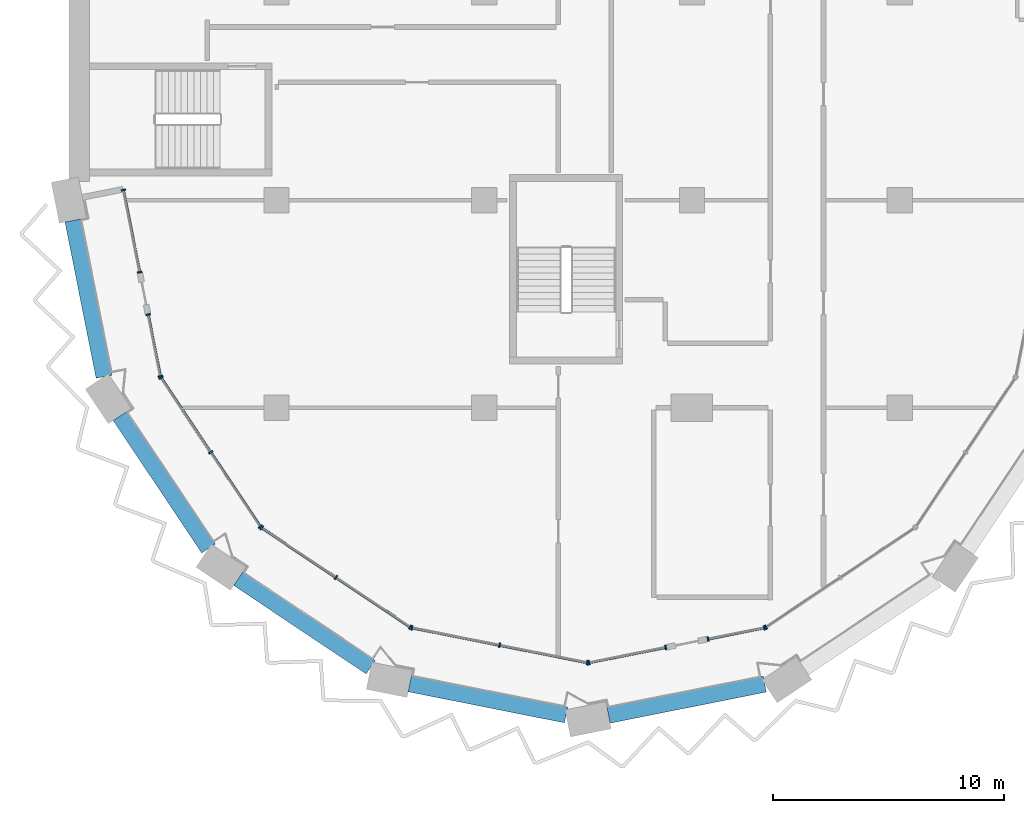
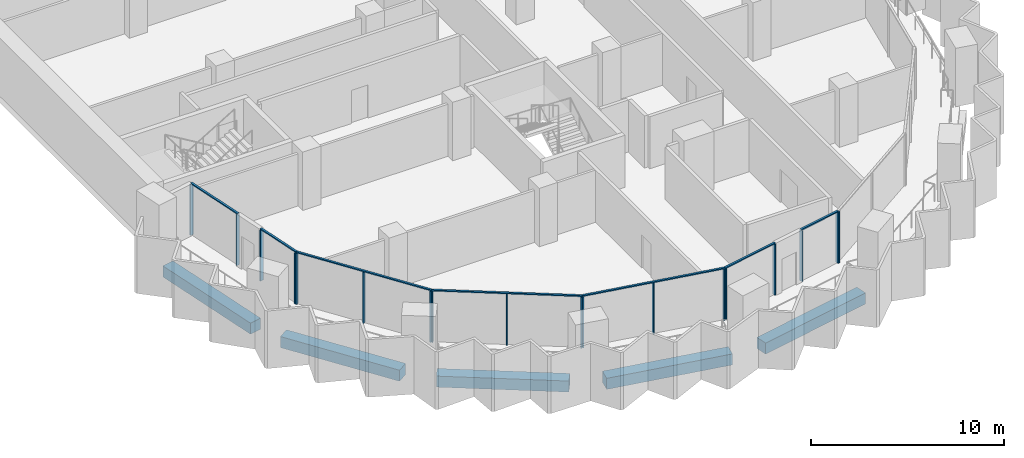
# One storey, part 2 of 17: 25 members, 5 beams, 8 elements without a shape of their own.
"""IFC4 building model written with IfcOpenShell, lengths in metres."""

from ifc_helpers import new_model, si_unit, direction, frame, origin, origin_2d, place, context, subcontext, project, spatial, rectangle, extrude, material, material_profile, profile_set, type_object, element, aggregate, save


model = new_model("IFC4")

# Units and contexts
model_context = context("Model", 3, precision=1e-05, world=origin(), true_north=direction((0.0, 1.0)))
body_context = subcontext(model_context, "Body", "Model", "MODEL_VIEW")
ifc_project = project(units=[si_unit("LENGTHUNIT", "METRE"), si_unit("AREAUNIT", "SQUARE_METRE"), si_unit("VOLUMEUNIT", "CUBIC_METRE"), si_unit("PLANEANGLEUNIT", "RADIAN"), si_unit("MASSUNIT", "GRAM", prefix="KILO")], contexts=[model_context])

# Site, building, storey
site_placement = place(None, origin())
site = spatial("IfcSite", under=ifc_project, at=site_placement, CompositionType="ELEMENT")
building_placement = place(site_placement, origin())
building = spatial("IfcBuilding", under=site, at=building_placement, Name="Hunhe Ridgeline Campus", CompositionType="ELEMENT")
storey_placement = place(building_placement, frame((0.0, 0.0, 212.39990234375)))
storey = spatial("IfcBuildingStorey", under=building, at=storey_placement, Name="L54", CompositionType="ELEMENT", Elevation=212.39990234375)

# Curtain wall, members
ifc_material_1 = material(Name="Aluminium 6063", Category="aluminium")
curtain_wall_type = type_object("IfcCurtainWallType", Name="Curtain wall CW-5", PredefinedType="NOTDEFINED", material=ifc_material_1)
curtain_wall_1_placement = place(storey_placement, origin())
curtain_wall_1 = element("IfcCurtainWall", 1, at=curtain_wall_1_placement, inside=storey, type_object=curtain_wall_type, Name="Curtain wall 01", PredefinedType="NOTDEFINED")
ifc_material_profile_1 = material_profile(ifc_material_1, rectangle(XDim=0.199951171875, YDim=0.070068359375, at=origin_2d()))
ifc_profile_set_1 = profile_set([ifc_material_profile_1], Name="Aluminium 6063")
member_type_1 = type_object("IfcMemberType", Name="CW-5 aluminium mullion", PredefinedType="MULLION", material=ifc_profile_set_1)
member_1_placement = place(storey_placement, frame((2.361572265625, 36.434326171875, 0.0), z_axis=(0.0, 0.0, 1.0), x_axis=(0.980784284924, 0.195095326561, 0.0)))
member_1 = element("IfcMember", 2, at=member_1_placement, type_object=member_type_1, Name="CW-5 mullion 1", PredefinedType="MULLION", context=body_context, shape_type="SweptSolid", body=[
    extrude(rectangle(XDim=0.199951171875, YDim=0.070068359375, at=origin_2d()), origin(), (0.0, 0.0, 1.0), 3.22998046875),
])
member_2_placement = place(storey_placement, frame((3.070068359375, 32.873291015625, 0.0), z_axis=(0.0, 0.0, 1.0), x_axis=(0.980784284924, 0.195095326561, 0.0)))
member_2 = element("IfcMember", 3, at=member_2_placement, type_object=member_type_1, Name="CW-5 mullion 2", PredefinedType="MULLION", context=body_context, shape_type="SweptSolid", body=[
    extrude(rectangle(XDim=0.199951171875, YDim=0.070068359375, at=origin_2d()), origin(), (0.0, 0.0, 1.0), 3.22998046875),
])

curtain_wall_2_placement = place(storey_placement, origin())
curtain_wall_2 = element("IfcCurtainWall", 4, at=curtain_wall_2_placement, inside=storey, type_object=curtain_wall_type, Name="Curtain wall 02", PredefinedType="NOTDEFINED")
member_3_placement = place(storey_placement, frame((3.434814453125, 31.0390625, 0.0), z_axis=(0.0, 0.0, 1.0), x_axis=(0.980784297053, 0.195095265587, 0.0)))
member_3 = element("IfcMember", 5, at=member_3_placement, type_object=member_type_1, Name="CW-5 mullion 1", PredefinedType="MULLION", context=body_context, shape_type="SweptSolid", body=[
    extrude(rectangle(XDim=0.199951171875, YDim=0.070068359375, at=origin_2d()), origin(), (0.0, 0.0, 1.0), 3.22998046875),
])
member_4_placement = place(storey_placement, frame((3.967529296875, 28.36083984375, 0.0), z_axis=(0.0, 0.0, 1.0), x_axis=(0.980784297053, 0.195095265587, 0.0)))
member_4 = element("IfcMember", 6, at=member_4_placement, type_object=member_type_1, Name="CW-5 mullion 2", PredefinedType="MULLION", context=body_context, shape_type="SweptSolid", body=[
    extrude(rectangle(XDim=0.199951171875, YDim=0.070068359375, at=origin_2d()), origin(), (0.0, 0.0, 1.0), 3.22998046875),
])

curtain_wall_3_placement = place(storey_placement, origin())
curtain_wall_3 = element("IfcCurtainWall", 7, at=curtain_wall_3_placement, inside=storey, type_object=curtain_wall_type, Name="Curtain wall 03", PredefinedType="NOTDEFINED")
member_5_placement = place(storey_placement, frame((3.993896484375, 28.29736328125, 0.0), z_axis=(0.0, 0.0, 1.0), x_axis=(0.831469584522, 0.555570274596, 0.0)))
member_5 = element("IfcMember", 8, at=member_5_placement, type_object=member_type_1, Name="CW-5 mullion 1", PredefinedType="MULLION", context=body_context, shape_type="SweptSolid", body=[
    extrude(rectangle(XDim=0.199951171875, YDim=0.070068359375, at=origin_2d()), origin(), (0.0, 0.0, 1.0), 3.22998046875),
])
member_6_placement = place(storey_placement, frame((6.147705078125, 25.07373046875, 0.0), z_axis=(0.0, 0.0, 1.0), x_axis=(0.831469584522, 0.555570274596, 0.0)))
member_6 = element("IfcMember", 9, at=member_6_placement, type_object=member_type_1, Name="CW-5 mullion 2", PredefinedType="MULLION", context=body_context, shape_type="SweptSolid", body=[
    extrude(rectangle(XDim=0.199951171875, YDim=0.070068359375, at=origin_2d()), origin(), (0.0, 0.0, 1.0), 3.22998046875),
])
member_7_placement = place(storey_placement, frame((8.3017578125, 21.850341796875, 0.0), z_axis=(0.0, 0.0, 1.0), x_axis=(0.831469584522, 0.555570274596, 0.0)))
member_7 = element("IfcMember", 10, at=member_7_placement, type_object=member_type_1, Name="CW-5 mullion 3", PredefinedType="MULLION", context=body_context, shape_type="SweptSolid", body=[
    extrude(rectangle(XDim=0.199951171875, YDim=0.070068359375, at=origin_2d()), origin(), (0.0, 0.0, 1.0), 3.22998046875),
])

curtain_wall_4_placement = place(storey_placement, origin())
curtain_wall_4 = element("IfcCurtainWall", 11, at=curtain_wall_4_placement, inside=storey, type_object=curtain_wall_type, Name="Curtain wall 04", PredefinedType="NOTDEFINED")
member_8_placement = place(storey_placement, frame((8.350341796875, 21.8017578125, 0.0), z_axis=(0.0, 0.0, 1.0), x_axis=(0.555570274596, 0.831469584522, 0.0)))
member_8 = element("IfcMember", 12, at=member_8_placement, type_object=member_type_1, Name="CW-5 mullion 1", PredefinedType="MULLION", context=body_context, shape_type="SweptSolid", body=[
    extrude(rectangle(XDim=0.199951171875, YDim=0.070068359375, at=origin_2d()), origin(), (0.0, 0.0, 1.0), 3.22998046875),
])
member_9_placement = place(storey_placement, frame((11.57373046875, 19.647705078125, 0.0), z_axis=(0.0, 0.0, 1.0), x_axis=(0.555570274596, 0.831469584522, 0.0)))
member_9 = element("IfcMember", 13, at=member_9_placement, type_object=member_type_1, Name="CW-5 mullion 2", PredefinedType="MULLION", context=body_context, shape_type="SweptSolid", body=[
    extrude(rectangle(XDim=0.199951171875, YDim=0.070068359375, at=origin_2d()), origin(), (0.0, 0.0, 1.0), 3.22998046875),
])
member_10_placement = place(storey_placement, frame((14.79736328125, 17.493896484375, 0.0), z_axis=(0.0, 0.0, 1.0), x_axis=(0.555570274596, 0.831469584522, 0.0)))
member_10 = element("IfcMember", 14, at=member_10_placement, type_object=member_type_1, Name="CW-5 mullion 3", PredefinedType="MULLION", context=body_context, shape_type="SweptSolid", body=[
    extrude(rectangle(XDim=0.199951171875, YDim=0.070068359375, at=origin_2d()), origin(), (0.0, 0.0, 1.0), 3.22998046875),
])

curtain_wall_5_placement = place(storey_placement, origin())
curtain_wall_5 = element("IfcCurtainWall", 15, at=curtain_wall_5_placement, inside=storey, type_object=curtain_wall_type, Name="Curtain wall 05", PredefinedType="NOTDEFINED")
member_11_placement = place(storey_placement, frame((14.86083984375, 17.467529296875, 0.0), z_axis=(0.0, 0.0, 1.0), x_axis=(0.195090347539, 0.980785275326, 0.0)))
member_11 = element("IfcMember", 16, at=member_11_placement, type_object=member_type_1, Name="CW-5 mullion 1", PredefinedType="MULLION", context=body_context, shape_type="SweptSolid", body=[
    extrude(rectangle(XDim=0.199951171875, YDim=0.070068359375, at=origin_2d()), origin(), (0.0, 0.0, 1.0), 3.22998046875),
])
member_12_placement = place(storey_placement, frame((18.663330078125, 16.711181640625, 0.0), z_axis=(0.0, 0.0, 1.0), x_axis=(0.195090347539, 0.980785275326, 0.0)))
member_12 = element("IfcMember", 17, at=member_12_placement, type_object=member_type_1, Name="CW-5 mullion 2", PredefinedType="MULLION", context=body_context, shape_type="SweptSolid", body=[
    extrude(rectangle(XDim=0.199951171875, YDim=0.070068359375, at=origin_2d()), origin(), (0.0, 0.0, 1.0), 3.22998046875),
])
member_13_placement = place(storey_placement, frame((22.465576171875, 15.954833984375, 0.0), z_axis=(0.0, 0.0, 1.0), x_axis=(0.195090347539, 0.980785275326, 0.0)))
member_13 = element("IfcMember", 18, at=member_13_placement, type_object=member_type_1, Name="CW-5 mullion 3", PredefinedType="MULLION", context=body_context, shape_type="SweptSolid", body=[
    extrude(rectangle(XDim=0.199951171875, YDim=0.070068359375, at=origin_2d()), origin(), (0.0, 0.0, 1.0), 3.22998046875),
])

curtain_wall_6_placement = place(storey_placement, origin())
curtain_wall_6 = element("IfcCurtainWall", 19, at=curtain_wall_6_placement, inside=storey, type_object=curtain_wall_type, Name="Curtain wall 06", PredefinedType="NOTDEFINED")
member_14_placement = place(storey_placement, frame((22.534423828125, 15.954833984375, 0.0), z_axis=(0.0, 0.0, 1.0), x_axis=(-0.19509037034, 0.980785270791, 0.0)))
member_14 = element("IfcMember", 20, at=member_14_placement, type_object=member_type_1, Name="CW-5 mullion 1", PredefinedType="MULLION", context=body_context, shape_type="SweptSolid", body=[
    extrude(rectangle(XDim=0.199951171875, YDim=0.070068359375, at=origin_2d()), origin(), (0.0, 0.0, 1.0), 3.22998046875),
])
member_15_placement = place(storey_placement, frame((25.861083984375, 16.61669921875, 0.0), z_axis=(0.0, 0.0, 1.0), x_axis=(-0.19509037034, 0.980785270791, 0.0)))
member_15 = element("IfcMember", 21, at=member_15_placement, type_object=member_type_1, Name="CW-5 mullion 2", PredefinedType="MULLION", context=body_context, shape_type="SweptSolid", body=[
    extrude(rectangle(XDim=0.199951171875, YDim=0.070068359375, at=origin_2d()), origin(), (0.0, 0.0, 1.0), 3.22998046875),
])

curtain_wall_7_placement = place(storey_placement, origin())
curtain_wall_7 = element("IfcCurtainWall", 22, at=curtain_wall_7_placement, inside=storey, type_object=curtain_wall_type, Name="Curtain wall 07", PredefinedType="NOTDEFINED")
member_16_placement = place(storey_placement, frame((27.695068359375, 16.9814453125, 0.0), z_axis=(0.0, 0.0, 1.0), x_axis=(-0.195090514627, 0.980785242091, 0.0)))
member_16 = element("IfcMember", 23, at=member_16_placement, type_object=member_type_1, Name="CW-5 mullion 1", PredefinedType="MULLION", context=body_context, shape_type="SweptSolid", body=[
    extrude(rectangle(XDim=0.199951171875, YDim=0.070068359375, at=origin_2d()), origin(), (0.0, 0.0, 1.0), 3.22998046875),
])
member_17_placement = place(storey_placement, frame((30.13916015625, 17.467529296875, 0.0), z_axis=(0.0, 0.0, 1.0), x_axis=(-0.195090514627, 0.980785242091, 0.0)))
member_17 = element("IfcMember", 24, at=member_17_placement, type_object=member_type_1, Name="CW-5 mullion 2", PredefinedType="MULLION", context=body_context, shape_type="SweptSolid", body=[
    extrude(rectangle(XDim=0.199951171875, YDim=0.070068359375, at=origin_2d()), origin(), (0.0, 0.0, 1.0), 3.22998046875),
])

# Curtain wall, member
curtain_wall_8_placement = place(storey_placement, origin())
curtain_wall_8 = element("IfcCurtainWall", 25, at=curtain_wall_8_placement, inside=storey, type_object=curtain_wall_type, Name="Curtain wall 08", PredefinedType="NOTDEFINED")
member_18_placement = place(storey_placement, frame((30.20263671875, 17.493896484375, 0.0), z_axis=(0.0, 0.0, 1.0), x_axis=(-0.555570274596, 0.831469584522, 0.0)))
member_18 = element("IfcMember", 26, at=member_18_placement, type_object=member_type_1, Name="CW-5 mullion 1", PredefinedType="MULLION", context=body_context, shape_type="SweptSolid", body=[
    extrude(rectangle(XDim=0.199951171875, YDim=0.070068359375, at=origin_2d()), origin(), (0.0, 0.0, 1.0), 3.22998046875),
])
aggregate(curtain_wall_8, [member_18])

# Member
ifc_material_profile_2 = material_profile(ifc_material_1, rectangle(XDim=0.1201171875, YDim=0.070068359375, at=origin_2d()))
ifc_profile_set_2 = profile_set([ifc_material_profile_2], Name="Aluminium 6063")
member_type_2 = type_object("IfcMemberType", Name="CW-5 aluminium transom", PredefinedType="USERDEFINED", material=ifc_profile_set_2)
member_19_placement = place(storey_placement, frame((2.354736328125, 36.46875, 3.26513671875), z_axis=(0.195126549745, -0.980778073564, 0.0), x_axis=(0.980778073564, 0.195126549745, 0.0)))
member_19 = element("IfcMember", 27, at=member_19_placement, type_object=member_type_2, Name="CW-5 transom 1", ObjectType="TRANSOM", PredefinedType="USERDEFINED", context=body_context, shape_type="SweptSolid", body=[
    extrude(rectangle(XDim=0.1201171875, YDim=0.070068359375, at=origin_2d()), origin(), (0.0, 0.0, 1.0), 3.700927734375),
])

aggregate(curtain_wall_1, [member_19, member_1, member_2])

member_20_placement = place(storey_placement, frame((3.427978515625, 31.073486328125, 3.26513671875), z_axis=(0.195076742145, -0.98078798151, 0.0), x_axis=(0.98078798151, 0.195076742145, 0.0)))
member_20 = element("IfcMember", 28, at=member_20_placement, type_object=member_type_2, Name="CW-5 transom 1", ObjectType="TRANSOM", PredefinedType="USERDEFINED", context=body_context, shape_type="SweptSolid", body=[
    extrude(rectangle(XDim=0.1201171875, YDim=0.070068359375, at=origin_2d()), origin(), (0.0, 0.0, 1.0), 2.80078125),
])

aggregate(curtain_wall_2, [member_20, member_3, member_4])

member_21_placement = place(storey_placement, frame((3.974365234375, 28.326416015625, 3.26513671875), z_axis=(0.5555640203, -0.831473763475, 0.0), x_axis=(0.831473763475, 0.5555640203, 0.0)))
member_21 = element("IfcMember", 29, at=member_21_placement, type_object=member_type_2, Name="CW-5 transom 1", ObjectType="TRANSOM", PredefinedType="USERDEFINED", context=body_context, shape_type="SweptSolid", body=[
    extrude(rectangle(XDim=0.1201171875, YDim=0.070068359375, at=origin_2d()), origin(), (0.0, 0.0, 1.0), 7.823974609375),
])

aggregate(curtain_wall_3, [member_21, member_5, member_6, member_7])

member_22_placement = place(storey_placement, frame((8.321044921875, 21.821044921875, 3.26513671875), z_axis=(0.831473763475, -0.5555640203, 0.0), x_axis=(0.5555640203, 0.831473763475, 0.0)))
member_22 = element("IfcMember", 30, at=member_22_placement, type_object=member_type_2, Name="CW-5 transom 1", ObjectType="TRANSOM", PredefinedType="USERDEFINED", context=body_context, shape_type="SweptSolid", body=[
    extrude(rectangle(XDim=0.1201171875, YDim=0.070068359375, at=origin_2d()), origin(), (0.0, 0.0, 1.0), 7.823974609375),
])

aggregate(curtain_wall_4, [member_22, member_8, member_9, member_10])

member_23_placement = place(storey_placement, frame((14.826416015625, 17.474365234375, 3.26513671875), z_axis=(0.980785367689, -0.195089883198, 0.0), x_axis=(0.195089883198, 0.980785367689, 0.0)))
member_23 = element("IfcMember", 31, at=member_23_placement, type_object=member_type_2, Name="CW-5 transom 1", ObjectType="TRANSOM", PredefinedType="USERDEFINED", context=body_context, shape_type="SweptSolid", body=[
    extrude(rectangle(XDim=0.1201171875, YDim=0.070068359375, at=origin_2d()), origin(), (0.0, 0.0, 1.0), 7.823974609375),
])

aggregate(curtain_wall_5, [member_23, member_11, member_12, member_13])

member_24_placement = place(storey_placement, frame((22.5, 15.947998046875, 3.26513671875), z_axis=(0.980778171596, 0.195126057004, 0.0), x_axis=(-0.195126057004, 0.980778171596, 0.0)))
member_24 = element("IfcMember", 32, at=member_24_placement, type_object=member_type_2, Name="CW-5 transom 1", ObjectType="TRANSOM", PredefinedType="USERDEFINED", context=body_context, shape_type="SweptSolid", body=[
    extrude(rectangle(XDim=0.1201171875, YDim=0.070068359375, at=origin_2d()), origin(), (0.0, 0.0, 1.0), 3.462158203125),
])

aggregate(curtain_wall_6, [member_24, member_14, member_15])

member_25_placement = place(storey_placement, frame((27.660888671875, 16.974609375, 3.26513671875), z_axis=(0.980789038007, 0.195071430315, 0.0), x_axis=(-0.195071430315, 0.980789038007, 0.0)))
member_25 = element("IfcMember", 33, at=member_25_placement, type_object=member_type_2, Name="CW-5 transom 1", ObjectType="TRANSOM", PredefinedType="USERDEFINED", context=body_context, shape_type="SweptSolid", body=[
    extrude(rectangle(XDim=0.1201171875, YDim=0.070068359375, at=origin_2d()), origin(), (0.0, 0.0, 1.0), 2.56201171875),
])

aggregate(curtain_wall_7, [member_25, member_16, member_17])

# Beams
ifc_material_2 = material(Name="Concrete C50", Category="concrete")
ifc_material_profile_3 = material_profile(ifc_material_2, rectangle(XDim=0.699951171875, YDim=0.699951171875, at=origin_2d()))
ifc_profile_set_3 = profile_set([ifc_material_profile_3], Name="Concrete C50")
beam_type = type_object("IfcBeamType", Name="RC spandrel beam 700x700 Concrete C50", PredefinedType="SPANDREL", material=ifc_profile_set_3)
for number, where, z_axis, x_axis, name in (
    (34, (0.175537109375, 35.1171875, -0.599853515625), (0.195102900975, -0.980782778209, 0.0), (0.980782778209, 0.195102900975, 0.0), "Spandrel beam B3-1 L54"),
    (35, (2.212646484375, 26.641357421875, -0.599853515625), (0.55557295, -0.831467796868, 0.0), (0.831467796868, 0.55557295, 0.0), "Spandrel beam B3-2 L54"),
    (36, (7.33837890625, 19.590087890625, -0.599853515625), (0.831467796868, -0.55557295, 0.0), (0.55557295, 0.831467796868, 0.0), "Spandrel beam B3-3 L54"),
    (37, (14.772216796875, 15.037109375, -0.599853515625), (0.980784124029, -0.195096135414, 0.0), (0.195096135414, 0.980784124029, 0.0), "Spandrel beam B3-4 L54"),
    (38, (23.3828125, 13.675537109375, -0.599853515625), (0.980782778209, 0.195102900975, 0.0), (-0.195102900975, 0.980782778209, 0.0), "Spandrel beam B3-5 L54"),
):
    element("IfcBeam", number, at=place(storey_placement, frame(where, z_axis=z_axis, x_axis=x_axis)), inside=storey, type_object=beam_type, Name=name, PredefinedType="SPANDREL", context=body_context, shape_type="SweptSolid", body=[
        extrude(rectangle(XDim=0.699951171875, YDim=0.699951171875, at=origin_2d()), origin(), (0.0, 0.0, 1.0), 6.905029296875),
    ])

save(model, "model.ifc")
